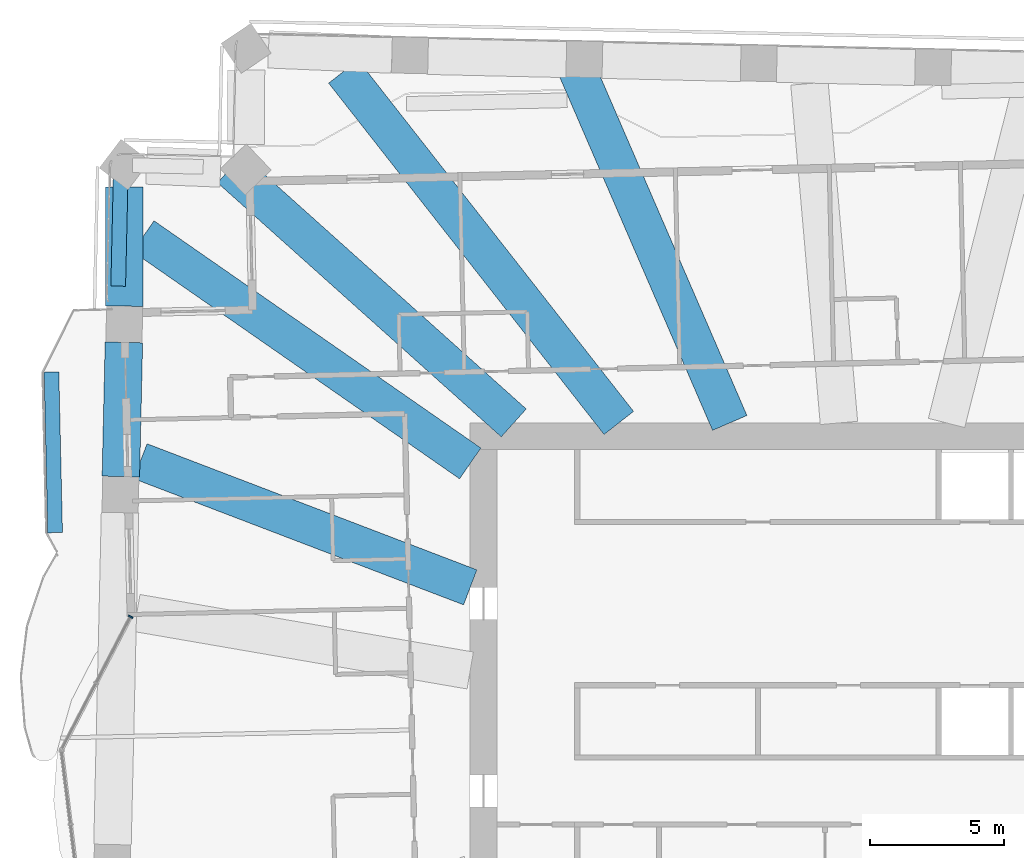
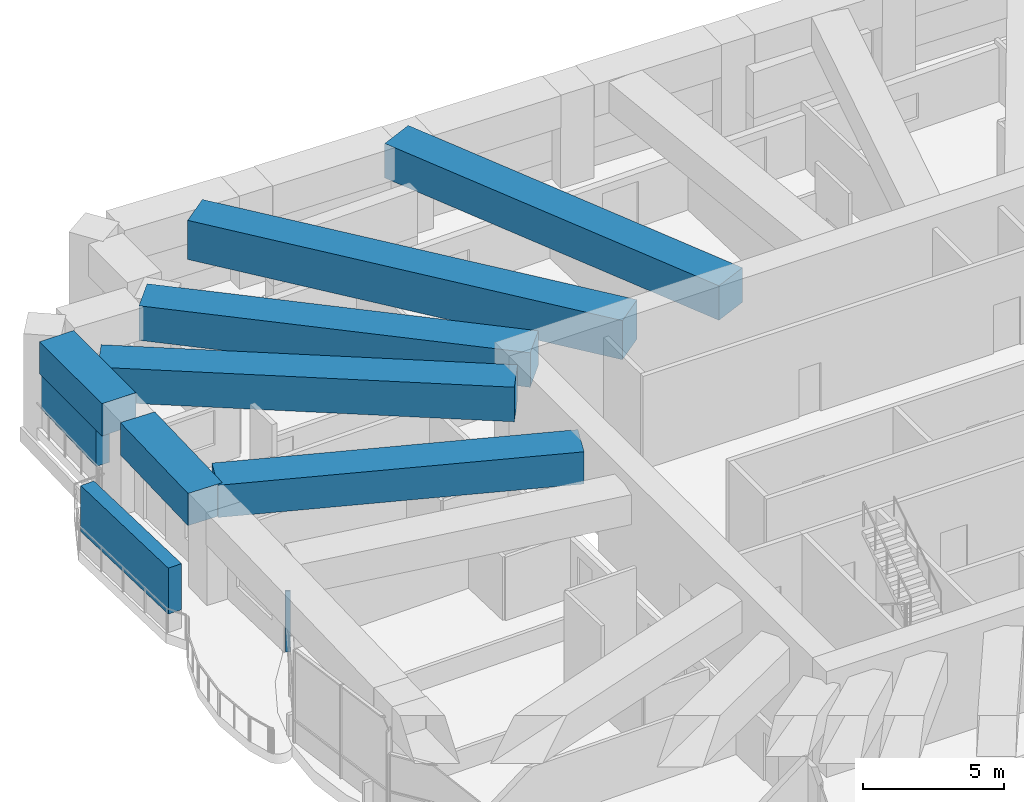
# One storey, part 5 of 21: 7 beams, 3 members, 1 element without a shape of its own.
"""IFC4 building model written with IfcOpenShell, lengths in metres."""

from ifc_helpers import new_model, si_unit, direction, frame, origin, origin_2d, place, context, subcontext, project, spatial, rectangle, extrude, material, material_profile, profile_set, type_object, element, aggregate, save


model = new_model("IFC4")

# Units and contexts
model_context = context("Model", 3, precision=1e-05, world=origin(), true_north=direction((0.0, 1.0)))
body_context = subcontext(model_context, "Body", "Model", "MODEL_VIEW")
ifc_project = project(units=[si_unit("LENGTHUNIT", "METRE"), si_unit("AREAUNIT", "SQUARE_METRE"), si_unit("VOLUMEUNIT", "CUBIC_METRE"), si_unit("PLANEANGLEUNIT", "RADIAN"), si_unit("MASSUNIT", "GRAM", prefix="KILO")], contexts=[model_context])

# Site, building, storey
site_placement = place(None, origin())
site = spatial("IfcSite", under=ifc_project, at=site_placement, CompositionType="ELEMENT")
building_placement = place(site_placement, origin())
building = spatial("IfcBuilding", under=site, at=building_placement, Name="Mangrove Gate Tower", CompositionType="ELEMENT")
storey_placement = place(building_placement, frame((0.0, 0.0, 125.5)))
storey = spatial("IfcBuildingStorey", under=building, at=storey_placement, Name="L31", CompositionType="ELEMENT", Elevation=125.5)

# Members
ifc_material_1 = material(Name="Planting on aluminium trellis", Category="aluminium")
ifc_material_profile_1 = material_profile(ifc_material_1, rectangle(XDim=0.550048828125, YDim=2.0, at=origin_2d()))
ifc_profile_set_1 = profile_set([ifc_material_profile_1], Name="Planting on aluminium trellis")
member_type_1 = type_object("IfcMemberType", Name="Balcony greenery screen 550x2000", PredefinedType="USERDEFINED", material=ifc_profile_set_1)
member_1_placement = place(storey_placement, frame((-30.306884765625, 7.700927734375, 1.800048828125), z_axis=(-0.022706615587, 0.999742171567, 0.0), x_axis=(-0.999742171567, -0.022706615587, 0.0)))
element("IfcMember", 1, at=member_1_placement, inside=storey, type_object=member_type_1, Name="GREEN SCREEN L31 W0.1", ObjectType="PLANTING", PredefinedType="USERDEFINED", context=body_context, shape_type="SweptSolid", body=[
    extrude(rectangle(XDim=0.550048828125, YDim=2.0, at=origin_2d()), origin(), (0.0, 0.0, 1.0), 5.99951171875),
])
ifc_material_2 = material(Name="Planting on aluminium trellis", Category="aluminium")
ifc_material_profile_2 = material_profile(ifc_material_2, rectangle(XDim=0.550048828125, YDim=1.800048828125, at=origin_2d()))
ifc_profile_set_2 = profile_set([ifc_material_profile_2], Name="Planting on aluminium trellis")
member_type_2 = type_object("IfcMemberType", Name="Roof greenery screen 550x1800", PredefinedType="USERDEFINED", material=ifc_profile_set_2)
member_2_placement = place(storey_placement, frame((-27.949951171875, 16.909912109375, 1.699951171875), z_axis=(0.022730891996, 0.999741619894, 0.0), x_axis=(-0.999741619894, 0.022730891996, 0.0)))
element("IfcMember", 2, at=member_2_placement, inside=storey, type_object=member_type_2, Name="GREEN SCREEN L31 T1.1.6", ObjectType="PLANTING", PredefinedType="USERDEFINED", context=body_context, shape_type="SweptSolid", body=[
    extrude(rectangle(XDim=0.550048828125, YDim=1.800048828125, at=origin_2d()), origin(), (0.0, 0.0, 1.0), 4.092041015625),
])

# Curtain wall, member
ifc_material_3 = material(Name="Aluminium and glass curtain wall", Category="aluminium")
curtain_wall_type = type_object("IfcCurtainWallType", Name="Sky-lounge glazing wall", PredefinedType="NOTDEFINED", material=ifc_material_3)
curtain_wall_placement = place(storey_placement, origin())
curtain_wall = element("IfcCurtainWall", 3, at=curtain_wall_placement, inside=storey, type_object=curtain_wall_type, Name="Sky-lounge glazing W9f1", PredefinedType="NOTDEFINED")
ifc_material_4 = material(Name="Aluminium alloy 6063-T6", Category="aluminium")
ifc_material_profile_3 = material_profile(ifc_material_4, rectangle(XDim=0.06005859375, YDim=0.179931640625, at=origin_2d()))
ifc_profile_set_3 = profile_set([ifc_material_profile_3], Name="Aluminium alloy 6063-T6")
member_type_3 = type_object("IfcMemberType", Name="Sky-lounge glazing mullion 60x180", PredefinedType="MULLION", material=ifc_profile_set_3)
member_3_placement = place(storey_placement, frame((-27.48388671875, 4.558837890625, 0.0), z_axis=(0.0, 0.0, 1.0), x_axis=(-0.460628472466, -0.887593043209, 0.0)))
member_3 = element("IfcMember", 4, at=member_3_placement, type_object=member_type_3, Name="CWK mullion 1", PredefinedType="MULLION", context=body_context, shape_type="SweptSolid", body=[
    extrude(rectangle(XDim=0.06005859375, YDim=0.179931640625, at=origin_2d()), origin(), (0.0, 0.0, 1.0), 2.64990234375),
])
aggregate(curtain_wall, [member_3])

# Beams
ifc_material_5 = material(Name="Concrete C70/85", Category="concrete")
ifc_material_profile_4 = material_profile(ifc_material_5, rectangle(XDim=1.39990234375, YDim=1.39990234375, at=origin_2d()))
ifc_profile_set_4 = profile_set([ifc_material_profile_4], Name="Concrete C70/85")
beam_type_1 = type_object("IfcBeamType", Name="Transfer girder RC 1400x1400 C70/85", PredefinedType="BEAM", material=ifc_profile_set_4)
beam_1_placement = place(storey_placement, frame((-27.71533203125, 20.606201171875, 3.35009765625), z_axis=(-0.001317521913, -0.999999132068, 0.0), x_axis=(0.999999132068, -0.001317521913, 0.0)))
element("IfcBeam", 5, at=beam_1_placement, inside=storey, type_object=beam_type_1, Name="Transfer ring girder L31 29", PredefinedType="BEAM", context=body_context, shape_type="SweptSolid", body=[
    extrude(rectangle(XDim=1.39990234375, YDim=1.39990234375, at=origin_2d()), origin(), (0.0, 0.0, 1.0), 4.447265625),
])
beam_2_placement = place(storey_placement, frame((-27.737548828125, 14.808837890625, 3.35009765625), z_axis=(-0.02259970241, -0.999744594109, 0.0), x_axis=(0.999744594109, -0.02259970241, 0.0)))
element("IfcBeam", 6, at=beam_2_placement, inside=storey, type_object=beam_type_1, Name="Transfer ring girder L31 30", PredefinedType="BEAM", context=body_context, shape_type="SweptSolid", body=[
    extrude(rectangle(XDim=1.39990234375, YDim=1.39990234375, at=origin_2d()), origin(), (0.0, 0.0, 1.0), 5.012451171875),
])
beam_3_placement = place(storey_placement, frame((-14.800048828125, 5.65869140625, 3.35009765625), z_axis=(-0.934060187295, 0.357115620647, 0.0), x_axis=(-0.357115620647, -0.934060187295, 0.0)))
element("IfcBeam", 7, at=beam_3_placement, inside=storey, type_object=beam_type_1, Name="Transfer girder L31 28", PredefinedType="BEAM", context=body_context, shape_type="SweptSolid", body=[
    extrude(rectangle(XDim=1.39990234375, YDim=1.39990234375, at=origin_2d()), origin(), (0.0, 0.0, 1.0), 13.191650390625),
])
ifc_material_6 = material(Name="Concrete C70/85", Category="concrete")
ifc_material_profile_5 = material_profile(ifc_material_6, rectangle(XDim=1.39990234375, YDim=1.5, at=origin_2d()))
ifc_profile_set_5 = profile_set([ifc_material_profile_5], Name="Concrete C70/85")
beam_type_2 = type_object("IfcBeamType", Name="Transfer girder RC 1400x1500 C70/85", PredefinedType="BEAM", material=ifc_profile_set_5)
beam_4_placement = place(storey_placement, frame((-5.106201171875, 11.800048828125, 3.300048828125), z_axis=(-0.397145311099, 0.917755741945, 0.0), x_axis=(-0.917755741945, -0.397145311099, 0.0)))
element("IfcBeam", 8, at=beam_4_placement, inside=storey, type_object=beam_type_2, Name="Transfer girder L31 23", PredefinedType="BEAM", context=body_context, shape_type="SweptSolid", body=[
    extrude(rectangle(XDim=1.39990234375, YDim=1.5, at=origin_2d()), origin(), (0.0, 0.0, 1.0), 14.812744140625),
])
beam_5_placement = place(storey_placement, frame((-13.174560546875, 11.800048828125, 3.300048828125), z_axis=(-0.744891126054, 0.667186038767, 0.0), x_axis=(-0.667186038767, -0.744891126054, 0.0)))
element("IfcBeam", 9, at=beam_5_placement, inside=storey, type_object=beam_type_2, Name="Transfer girder L31 25", PredefinedType="BEAM", context=body_context, shape_type="SweptSolid", body=[
    extrude(rectangle(XDim=1.39990234375, YDim=1.5, at=origin_2d()), origin(), (0.0, 0.0, 1.0), 14.2265625),
])
beam_6_placement = place(storey_placement, frame((-14.800048828125, 10.28759765625, 3.300048828125), z_axis=(-0.821110935668, 0.570768632045, 0.0), x_axis=(-0.570768632045, -0.821110935668, 0.0)))
element("IfcBeam", 10, at=beam_6_placement, inside=storey, type_object=beam_type_2, Name="Transfer girder L31 26", PredefinedType="BEAM", context=body_context, shape_type="SweptSolid", body=[
    extrude(rectangle(XDim=1.39990234375, YDim=1.5, at=origin_2d()), origin(), (0.0, 0.0, 1.0), 14.871337890625),
])
ifc_material_7 = material(Name="Concrete C70/85", Category="concrete")
ifc_material_profile_6 = material_profile(ifc_material_7, rectangle(XDim=1.39990234375, YDim=1.699951171875, at=origin_2d()))
ifc_profile_set_6 = profile_set([ifc_material_profile_6], Name="Concrete C70/85")
beam_type_3 = type_object("IfcBeamType", Name="Transfer girder RC 1400x1700 C70/85", PredefinedType="BEAM", material=ifc_profile_set_6)
beam_7_placement = place(storey_placement, frame((-9.250244140625, 11.800048828125, 3.199951171875), z_axis=(-0.616949558567, 0.787002695157, 0.0), x_axis=(-0.787002695157, -0.616949558567, 0.0)))
element("IfcBeam", 11, at=beam_7_placement, inside=storey, type_object=beam_type_3, Name="Transfer girder L31 24", PredefinedType="BEAM", context=body_context, shape_type="SweptSolid", body=[
    extrude(rectangle(XDim=1.39990234375, YDim=1.699951171875, at=origin_2d()), origin(), (0.0, 0.0, 1.0), 16.67529296875),
])

save(model, "model.ifc")
